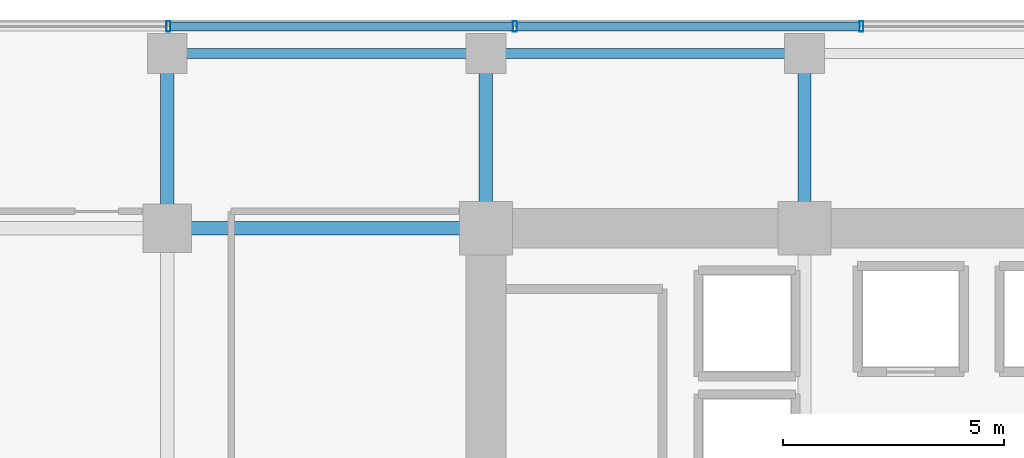
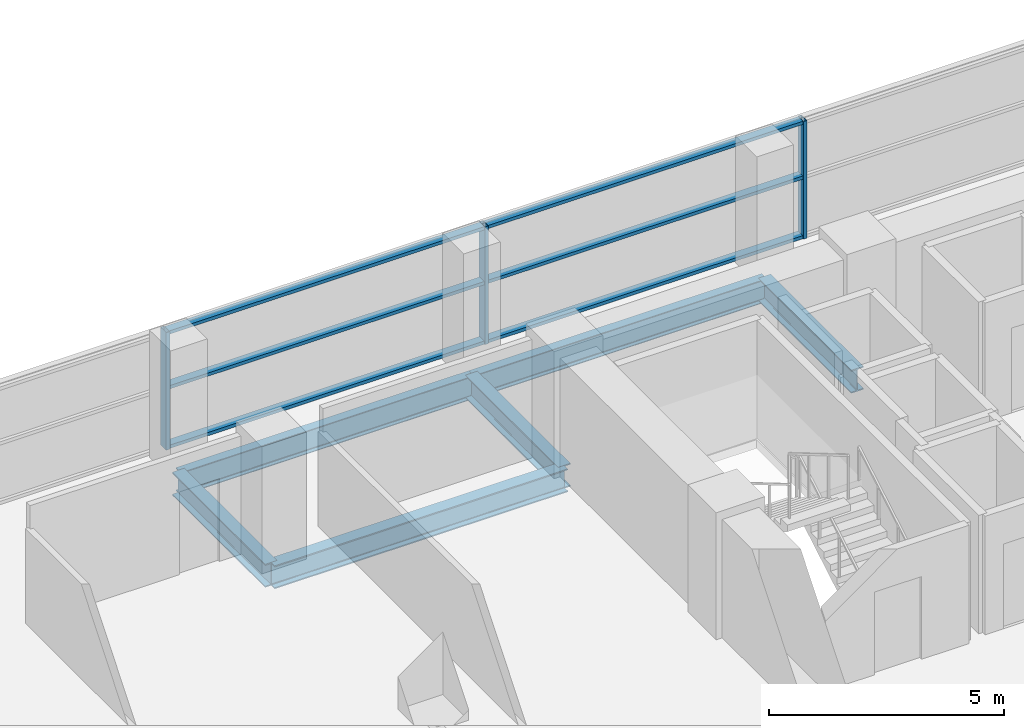
# One storey, part 17 of 29: 9 members, 6 beams, 1 element without a shape of its own.
"""IFC4 building model written with IfcOpenShell, lengths in metres."""

import ifcopenshell
import ifcopenshell.guid

model = None  # the IFC model being written
_history = None  # IfcOwnerHistory: only IFC2X3 demands one
_inside = {}  # id of a spatial element -> (the spatial element, [elements in it])
_under = {}  # id of a project, library or spatial element -> (it, [spatial elements below it])
_declared = {}  # id of a project -> (the project, [libraries it declares])
_typed = {}  # id of a type object -> (the type object, [elements of that type])
_made_of = {}  # id of a material, layer set ... -> (it, [elements and type objects made of it])


def new_model(schema):
    """Start an empty IFC model of exactly this schema.

    Asked for "IFC4X3", IfcOpenShell would pick the latest addendum, in which some entities
    have other attributes; the version numbers below select the first issue.
    IFC2X3 requires an IfcOwnerHistory on every rooted entity: one is made here for all.
    """
    global model, _history
    if schema == "IFC4X3":
        model = ifcopenshell.file(schema_version=(4, 3, 0, 0))
    else:
        model = ifcopenshell.file(schema=schema)
    _inside.clear()
    _under.clear()
    _declared.clear()
    _typed.clear()
    _made_of.clear()
    _history = None
    if model.schema == "IFC2X3":
        org = make("IfcOrganization", Name="unknown")
        user = make(
            "IfcPersonAndOrganization",
            ThePerson=make("IfcPerson", FamilyName="unknown"),
            TheOrganization=org,
        )
        app = make(
            "IfcApplication",
            ApplicationDeveloper=org,
            Version="unknown",
            ApplicationFullName="unknown",
            ApplicationIdentifier="unknown",
        )
        _history = make(
            "IfcOwnerHistory",
            OwningUser=user,
            OwningApplication=app,
            ChangeAction="ADDED",
            CreationDate=0,
        )
    return model


def make(cls, **values):
    """One entity of the class cls with the attributes given. An attribute that is None is left unset."""
    return model.create_entity(
        cls, **{name: value for name, value in values.items() if value is not None}
    )


def rooted(cls, **values):
    """An entity with a GlobalId (a new one), such as an element, a storey or a relation."""
    return make(cls, GlobalId=ifcopenshell.guid.new(), OwnerHistory=_history, **values)


def si_unit(unit_type, name, prefix=None):
    """IfcSIUnit, for example si_unit("LENGTHUNIT", "METRE", prefix="MILLI")."""
    return make("IfcSIUnit", UnitType=unit_type, Prefix=prefix, Name=name)


def assignment(units):
    """IfcUnitAssignment: the units of a project."""
    return None if units is None else make("IfcUnitAssignment", Units=units)


def point(xyz):
    """IfcCartesianPoint."""
    return None if xyz is None else make("IfcCartesianPoint", Coordinates=xyz)


def direction(xyz):
    """IfcDirection."""
    return None if xyz is None else make("IfcDirection", DirectionRatios=xyz)


def frame(location, z_axis=None, x_axis=None):
    """IfcAxis2Placement3D, a coordinate frame: its origin and axes. An axis left out is left unset."""
    return make(
        "IfcAxis2Placement3D",
        Location=point(location),
        Axis=direction(z_axis),
        RefDirection=direction(x_axis),
    )


def frame_2d(location, x_axis=None):
    """IfcAxis2Placement2D, a coordinate frame in the plane: its origin and x axis."""
    return make(
        "IfcAxis2Placement2D", Location=point(location), RefDirection=direction(x_axis)
    )


def origin():
    """The frame at (0, 0, 0) with its axes left unset."""
    return frame((0.0, 0.0, 0.0))


def origin_2d():
    """The frame at (0, 0) in the plane with its x axis left unset."""
    return frame_2d((0.0, 0.0))


def place(relative_to, where):
    """IfcLocalPlacement: puts the frame where relative to a parent placement (None: the world)."""
    return make(
        "IfcLocalPlacement", PlacementRelTo=relative_to, RelativePlacement=where
    )


def context(
    kind, dimensions, precision=None, world=None, true_north=None, identifier=None
):
    """IfcGeometricRepresentationContext, for example the 3D "Model" context."""
    return make(
        "IfcGeometricRepresentationContext",
        ContextIdentifier=identifier,
        ContextType=kind,
        CoordinateSpaceDimension=dimensions,
        Precision=precision,
        WorldCoordinateSystem=world,
        TrueNorth=true_north,
    )


def subcontext(parent, identifier, kind, view, scale=None):
    """IfcGeometricRepresentationSubContext, for example "Body" below "Model"."""
    return make(
        "IfcGeometricRepresentationSubContext",
        ContextIdentifier=identifier,
        ContextType=kind,
        ParentContext=parent,
        TargetScale=scale,
        TargetView=view,
    )


def project(units=None, contexts=None):
    """IfcProject with its units and contexts."""
    return rooted(
        "IfcProject",
        Name="project",
        RepresentationContexts=contexts,
        UnitsInContext=assignment(units),
    )


def spatial(cls, under=None, at=None, **own):
    """A site, building, storey or space (cls), placed at a placement, below another one or the project."""
    s = rooted(cls, ObjectPlacement=at, **own)
    if under is not None:
        _under.setdefault(under.id(), (under, []))[1].append(s)
    return s


def profile(cls, at=None, kind="AREA", **sizes):
    """A parametric profile (cls). Its sizes go by their IFC names, for example OverallWidth=200.0."""
    return make(cls, ProfileType=kind, Position=at, **sizes)


def hollow_rectangle(**sizes):
    """IfcRectangleHollowProfileDef."""
    return profile("IfcRectangleHollowProfileDef", **sizes)


def i_section(**sizes):
    """IfcIShapeProfileDef."""
    return profile("IfcIShapeProfileDef", **sizes)


def extrude(swept, where, along, depth):
    """IfcExtrudedAreaSolid: the profile swept, set in the frame where, extruded along a direction by depth."""
    return make(
        "IfcExtrudedAreaSolid",
        SweptArea=swept,
        Position=where,
        ExtrudedDirection=direction(along),
        Depth=depth,
    )


def shape(context_of_items, identifier, shape_type, items):
    """IfcShapeRepresentation: the items that make up one representation, for example the "Body"."""
    return make(
        "IfcShapeRepresentation",
        ContextOfItems=context_of_items,
        RepresentationIdentifier=identifier,
        RepresentationType=shape_type,
        Items=items,
    )


def source(mapping_origin, context_of_items, identifier, shape_type, items):
    """IfcRepresentationMap: a shape defined once, which mapped items show again and again."""
    return make(
        "IfcRepresentationMap",
        MappingOrigin=mapping_origin,
        MappedRepresentation=shape(context_of_items, identifier, shape_type, items),
    )


def transform(
    local_origin,
    x_axis=None,
    y_axis=None,
    z_axis=None,
    scale=None,
    scale2=None,
    scale3=None,
    uniform=True,
):
    """IfcCartesianTransformationOperator3D, or its non-uniform kind. x_axis, y_axis, z_axis: its Axis1, 2, 3."""
    if uniform:
        return make(
            "IfcCartesianTransformationOperator3D",
            Axis1=direction(x_axis),
            Axis2=direction(y_axis),
            LocalOrigin=point(local_origin),
            Scale=scale,
            Axis3=direction(z_axis),
        )
    return make(
        "IfcCartesianTransformationOperator3DnonUniform",
        Axis1=direction(x_axis),
        Axis2=direction(y_axis),
        LocalOrigin=point(local_origin),
        Scale=scale,
        Axis3=direction(z_axis),
        Scale2=scale2,
        Scale3=scale3,
    )


def mapped(mapping_source, mapping_target):
    """IfcMappedItem: shows the shape of a source again, moved by a transform."""
    return make(
        "IfcMappedItem", MappingSource=mapping_source, MappingTarget=mapping_target
    )


def material(Name=None, Category=None):
    """IfcMaterial."""
    return make("IfcMaterial", Name=Name, Category=Category)


def layer(
    of_material, thickness, ventilated=None, Name=None, Category=None, Priority=None
):
    """IfcMaterialLayer: one layer of a wall or slab, of a material (None: an air gap)."""
    return make(
        "IfcMaterialLayer",
        Material=of_material,
        LayerThickness=thickness,
        IsVentilated=ventilated,
        Name=Name,
        Category=Category,
        Priority=Priority,
    )


def layer_set(layers, Name=None):
    """IfcMaterialLayerSet."""
    return make("IfcMaterialLayerSet", MaterialLayers=layers, LayerSetName=Name)


def material_profile(
    of_material, cross_section, Name=None, Category=None, Priority=None
):
    """IfcMaterialProfile: a cross section and its material."""
    return make(
        "IfcMaterialProfile",
        Name=Name,
        Material=of_material,
        Profile=cross_section,
        Priority=Priority,
        Category=Category,
    )


def profile_set(profiles, Name=None, composite=None):
    """IfcMaterialProfileSet."""
    return make(
        "IfcMaterialProfileSet",
        Name=Name,
        MaterialProfiles=profiles,
        CompositeProfile=composite,
    )


def made_of(thing, what):
    """Note that an element or type object is made of a material, layer set ...; save() writes the relation."""
    if what is not None:
        _made_of.setdefault(what.id(), (what, []))[1].append(thing)
    return thing


def type_object(cls, material=None, **own):
    """A type object (cls), such as IfcWallType, which elements share."""
    return made_of(rooted(cls, **own), material)


def element(
    cls,
    number,
    at=None,
    inside=None,
    cuts=None,
    type_object=None,
    material=None,
    context=None,
    identifier="Body",
    shape_type=None,
    held_by="IfcProductDefinitionShape",
    body=None,
    shapes=None,
    **own,
):
    """One element of the class cls, such as IfcWall. Its Tag is "e" and its number.

    at: its placement. inside: the storey or other place that contains it. cuts: it is an
    opening in that element (IfcRelVoidsElement). A single representation is given by context,
    identifier, shape_type and body (its items); several are given by shapes. held_by: the class
    of the entity that holds the representations. save() writes the other relations.
    """
    e = rooted(cls, Tag="e%d" % number, ObjectPlacement=at, **own)
    if body is not None:
        shapes = [shape(context, identifier, shape_type, body)]
    if shapes is not None:
        e.Representation = make(held_by, Representations=shapes)
    if inside is not None:
        _inside.setdefault(inside.id(), (inside, []))[1].append(e)
    if cuts is not None:
        rooted(
            "IfcRelVoidsElement", RelatingBuildingElement=cuts, RelatedOpeningElement=e
        )
    if type_object is not None:
        _typed.setdefault(type_object.id(), (type_object, []))[1].append(e)
    return made_of(e, material)


def aggregate(whole, parts):
    """IfcRelAggregates: a whole, such as a stair, and the parts it consists of."""
    return rooted("IfcRelAggregates", RelatingObject=whole, RelatedObjects=parts)


def save(model, path):
    """Write the relations noted so far, then the file.

    IfcRelAggregates (storeys below a building ...), IfcRelContainedInSpatialStructure (elements
    in a storey), IfcRelDefinesByType, IfcRelAssociatesMaterial and IfcRelDeclares: one each for
    every whole, place, type object, material and project.
    """
    for whole, parts in _under.values():
        aggregate(whole, parts)
    for where, things in _inside.values():
        rooted(
            "IfcRelContainedInSpatialStructure",
            RelatedElements=things,
            RelatingStructure=where,
        )
    for kind, things in _typed.values():
        rooted("IfcRelDefinesByType", RelatedObjects=things, RelatingType=kind)
    for what, things in _made_of.values():
        rooted("IfcRelAssociatesMaterial", RelatedObjects=things, RelatingMaterial=what)
    for by, libraries in _declared.values():
        rooted("IfcRelDeclares", RelatingContext=by, RelatedDefinitions=libraries)
    model.write(path)


model = new_model("IFC4")

# Units and contexts
model_context = context("Model", 3, precision=1e-05, world=origin(), true_north=direction((0.0, 1.0)))
body_context = subcontext(model_context, "Body", "Model", "MODEL_VIEW")
ifc_project = project(units=[si_unit("LENGTHUNIT", "METRE"), si_unit("AREAUNIT", "SQUARE_METRE"), si_unit("VOLUMEUNIT", "CUBIC_METRE"), si_unit("PLANEANGLEUNIT", "RADIAN"), si_unit("MASSUNIT", "GRAM", prefix="KILO")], contexts=[model_context])

# Site, building, storey
site_placement = place(None, origin())
site = spatial("IfcSite", under=ifc_project, at=site_placement, CompositionType="ELEMENT")
building_placement = place(site_placement, origin())
building = spatial("IfcBuilding", under=site, at=building_placement, Name="Zarnakvel Exchange Tower", CompositionType="ELEMENT")
storey_placement = place(building_placement, frame((0.0, 0.0, 37.300048828125)))
storey = spatial("IfcBuildingStorey", under=building, at=storey_placement, Name="L09", CompositionType="ELEMENT", Elevation=37.300048828125)

# Beams
ifc_material_1 = material(Name="Steel S355", Category="steel")
ifc_material_profile_1 = material_profile(ifc_material_1, i_section(OverallWidth=0.300048828125, OverallDepth=0.60009765625, WebThickness=0.015380859375, FlangeThickness=0.030029296875, FilletRadius=0.027099609375, at=origin_2d()))
ifc_profile_set_1 = profile_set([ifc_material_profile_1], Name="Steel S355")
beam_type_1 = type_object("IfcBeamType", Name="G-04", PredefinedType="BEAM", material=ifc_profile_set_1)
beam_1_placement = place(storey_placement, frame((-21.60009765625, 13.5, -0.525146484375), z_axis=(1.0, 0.0, 0.0), x_axis=(0.0, 1.0, 0.0)))
element("IfcBeam", 1, at=beam_1_placement, inside=storey, type_object=beam_type_1, Name="L09 Tower E-W Frame Beam", PredefinedType="BEAM", context=body_context, shape_type="SweptSolid", body=[
    extrude(i_section(OverallWidth=0.300048828125, OverallDepth=0.60009765625, WebThickness=0.015380859375, FlangeThickness=0.030029296875, FilletRadius=0.027099609375, at=origin_2d()), origin(), (0.0, 0.0, 1.0), 7.2001953125),
])
for number, where, z_axis, x_axis, name in (
    (2, (-21.60009765625, 13.5, -0.525146484375), (0.0, 1.0, 0.0), (-1.0, 0.0, 0.0), "L09 Tower N-S Frame Beam"),
    (3, (-14.39990234375, 13.5, -0.525146484375), (0.0, 1.0, 0.0), (-1.0, 0.0, 0.0), "L09 Tower N-S Frame Beam"),
    (4, (-7.199951171875, 13.5, -0.525146484375), (0.0, 1.0, 0.0), (-1.0, 0.0, 0.0), "L09 Tower N-S Frame Beam"),
):
    element("IfcBeam", number, at=place(storey_placement, frame(where, z_axis=z_axis, x_axis=x_axis)), inside=storey, type_object=beam_type_1, Name=name, PredefinedType="BEAM", context=body_context, shape_type="SweptSolid", body=[
        extrude(i_section(OverallWidth=0.300048828125, OverallDepth=0.60009765625, WebThickness=0.015380859375, FlangeThickness=0.030029296875, FilletRadius=0.027099609375, at=origin_2d()), origin(), (0.0, 0.0, 1.0), 3.949951171875),
    ])
ifc_material_profile_2 = material_profile(ifc_material_1, i_section(OverallWidth=0.219970703125, OverallDepth=0.60009765625, WebThickness=0.011962890625, FlangeThickness=0.01904296875, FilletRadius=0.02392578125, at=origin_2d()))
ifc_profile_set_2 = profile_set([ifc_material_profile_2], Name="Steel S355")
beam_type_2 = type_object("IfcBeamType", Name="SP-01", PredefinedType="SPANDREL", material=ifc_profile_set_2)
beam_2_placement = place(storey_placement, frame((-21.60009765625, 17.449951171875, -0.525146484375), z_axis=(1.0, 0.0, 0.0), x_axis=(0.0, 1.0, 0.0)))
element("IfcBeam", 5, at=beam_2_placement, inside=storey, type_object=beam_type_2, Name="L09 Tower E-W Frame Beam", PredefinedType="SPANDREL", context=body_context, shape_type="SweptSolid", body=[
    extrude(i_section(OverallWidth=0.219970703125, OverallDepth=0.60009765625, WebThickness=0.011962890625, FlangeThickness=0.01904296875, FilletRadius=0.02392578125, at=origin_2d()), origin(), (0.0, 0.0, 1.0), 7.2001953125),
])
beam_3_placement = place(storey_placement, frame((-14.39990234375, 17.449951171875, -0.525146484375), z_axis=(1.0, 0.0, 0.0), x_axis=(0.0, 1.0, 0.0)))
element("IfcBeam", 6, at=beam_3_placement, inside=storey, type_object=beam_type_2, Name="L09 Tower E-W Frame Beam", PredefinedType="SPANDREL", context=body_context, shape_type="SweptSolid", body=[
    extrude(i_section(OverallWidth=0.219970703125, OverallDepth=0.60009765625, WebThickness=0.011962890625, FlangeThickness=0.01904296875, FilletRadius=0.02392578125, at=origin_2d()), origin(), (0.0, 0.0, 1.0), 7.199951171875),
])

# Curtain wall, members
ifc_material_2 = material(Name="Architectural Bronze Anodised Aluminium", Category="aluminium")
ifc_layer = layer(ifc_material_2, 0.239990234375)
ifc_layer_set = layer_set([ifc_layer], Name="Architectural Bronze Anodised Aluminium")
curtain_wall_type = type_object("IfcCurtainWallType", Name="CW-02", PredefinedType="NOTDEFINED", material=ifc_layer_set)
curtain_wall_placement = place(storey_placement, origin())
curtain_wall = element("IfcCurtainWall", 7, at=curtain_wall_placement, inside=storey, type_object=curtain_wall_type, Name="L09 Curtain Wall CW-L09-N1 (CW-02)", PredefinedType="NOTDEFINED")
ifc_material_profile_3 = material_profile(ifc_material_2, hollow_rectangle(XDim=0.199951171875, YDim=0.0849609375, WallThickness=0.0048828125, at=origin_2d()))
ifc_profile_set_3 = profile_set([ifc_material_profile_3], Name="Architectural Bronze Anodised Aluminium")
member_type_1 = type_object("IfcMemberType", Name="CWT-02", PredefinedType="USERDEFINED", material=ifc_profile_set_3)
shared_shape_1 = source(origin(), body_context, "Body", "SweptSolid", [
    extrude(hollow_rectangle(XDim=0.199951171875, YDim=0.0849609375, WallThickness=0.0048828125, at=origin_2d()), origin(), (0.0, 0.0, 1.0), 7.738525390625),
])
member_1_placement = place(storey_placement, frame((-21.5263671875, 18.06005859375, 0.04248046875), z_axis=(1.0, 0.0, 0.0), x_axis=(0.0, 1.0, 0.0)))
member_1 = element("IfcMember", 8, at=member_1_placement, type_object=member_type_1, Name="CW-02 transom 2.1", ObjectType="TRANSOM", PredefinedType="USERDEFINED", context=body_context, shape_type="MappedRepresentation", body=[
    mapped(shared_shape_1, transform((0.0, 0.0, 0.0), x_axis=(1.0, 0.0, 0.0), y_axis=(0.0, 1.0, 0.0), z_axis=(0.0, 0.0, 1.0), scale=1.0)),
])
member_2_placement = place(storey_placement, frame((-21.5263671875, 18.06005859375, 1.588623046875), z_axis=(1.0, 0.0, 0.0), x_axis=(0.0, 1.0, 0.0)))
member_2 = element("IfcMember", 9, at=member_2_placement, type_object=member_type_1, Name="CW-02 transom 2.2", ObjectType="TRANSOM", PredefinedType="USERDEFINED", context=body_context, shape_type="MappedRepresentation", body=[
    mapped(shared_shape_1, transform((0.0, 0.0, 0.0), x_axis=(1.0, 0.0, 0.0), y_axis=(0.0, 1.0, 0.0), z_axis=(0.0, 0.0, 1.0), scale=1.0)),
])
member_3_placement = place(storey_placement, frame((-21.5263671875, 18.06005859375, 3.012451171875), z_axis=(1.0, 0.0, 0.0), x_axis=(0.0, 1.0, 0.0)))
member_3 = element("IfcMember", 10, at=member_3_placement, type_object=member_type_1, Name="CW-02 transom 2.3", ObjectType="TRANSOM", PredefinedType="USERDEFINED", context=body_context, shape_type="MappedRepresentation", body=[
    mapped(shared_shape_1, transform((0.0, 0.0, 0.0), x_axis=(1.0, 0.0, 0.0), y_axis=(0.0, 1.0, 0.0), z_axis=(0.0, 0.0, 1.0), scale=1.0)),
])
member_4_placement = place(storey_placement, frame((-13.69775390625, 18.06005859375, 0.04248046875), z_axis=(1.0, 0.0, 0.0), x_axis=(0.0, 1.0, 0.0)))
member_4 = element("IfcMember", 11, at=member_4_placement, type_object=member_type_1, Name="CW-02 transom 3.1", ObjectType="TRANSOM", PredefinedType="USERDEFINED", context=body_context, shape_type="MappedRepresentation", body=[
    mapped(shared_shape_1, transform((0.0, 0.0, 0.0), x_axis=(1.0, 0.0, 0.0), y_axis=(0.0, 1.0, 0.0), z_axis=(0.0, 0.0, 1.0), scale=1.0)),
])
member_5_placement = place(storey_placement, frame((-13.69775390625, 18.06005859375, 1.588623046875), z_axis=(1.0, 0.0, 0.0), x_axis=(0.0, 1.0, 0.0)))
member_5 = element("IfcMember", 12, at=member_5_placement, type_object=member_type_1, Name="CW-02 transom 3.2", ObjectType="TRANSOM", PredefinedType="USERDEFINED", context=body_context, shape_type="MappedRepresentation", body=[
    mapped(shared_shape_1, transform((0.0, 0.0, 0.0), x_axis=(1.0, 0.0, 0.0), y_axis=(0.0, 1.0, 0.0), z_axis=(0.0, 0.0, 1.0), scale=1.0)),
])
member_6_placement = place(storey_placement, frame((-13.69775390625, 18.06005859375, 3.012451171875), z_axis=(1.0, 0.0, 0.0), x_axis=(0.0, 1.0, 0.0)))
member_6 = element("IfcMember", 13, at=member_6_placement, type_object=member_type_1, Name="CW-02 transom 3.3", ObjectType="TRANSOM", PredefinedType="USERDEFINED", context=body_context, shape_type="MappedRepresentation", body=[
    mapped(shared_shape_1, transform((0.0, 0.0, 0.0), x_axis=(1.0, 0.0, 0.0), y_axis=(0.0, 1.0, 0.0), z_axis=(0.0, 0.0, 1.0), scale=1.0)),
])
ifc_material_profile_4 = material_profile(ifc_material_2, hollow_rectangle(XDim=0.239990234375, YDim=0.090087890625, WallThickness=0.006103515625, at=origin_2d()))
ifc_profile_set_4 = profile_set([ifc_material_profile_4], Name="Architectural Bronze Anodised Aluminium")
member_type_2 = type_object("IfcMemberType", Name="CWM-02", PredefinedType="MULLION", material=ifc_profile_set_4)
shared_shape_2 = source(origin(), body_context, "Body", "SweptSolid", [
    extrude(hollow_rectangle(XDim=0.239990234375, YDim=0.090087890625, WallThickness=0.006103515625, at=origin_2d()), origin(), (0.0, 0.0, 1.0), 3.054931640625),
])
member_7_placement = place(storey_placement, frame((-21.571533203125, 18.06005859375, 0.0), z_axis=(0.0, 0.0, 1.0), x_axis=(0.0, 1.0, 0.0)))
member_7 = element("IfcMember", 14, at=member_7_placement, type_object=member_type_2, Name="CW-02 mullion 2", PredefinedType="MULLION", context=body_context, shape_type="MappedRepresentation", body=[
    mapped(shared_shape_2, transform((0.0, 0.0, 0.0), x_axis=(1.0, 0.0, 0.0), y_axis=(0.0, 1.0, 0.0), z_axis=(0.0, 0.0, 1.0), scale=1.0)),
])
member_8_placement = place(storey_placement, frame((-13.742919921875, 18.06005859375, 0.0), z_axis=(0.0, 0.0, 1.0), x_axis=(0.0, 1.0, 0.0)))
member_8 = element("IfcMember", 15, at=member_8_placement, type_object=member_type_2, Name="CW-02 mullion 3", PredefinedType="MULLION", context=body_context, shape_type="MappedRepresentation", body=[
    mapped(shared_shape_2, transform((0.0, 0.0, 0.0), x_axis=(1.0, 0.0, 0.0), y_axis=(0.0, 1.0, 0.0), z_axis=(0.0, 0.0, 1.0), scale=1.0)),
])
member_9_placement = place(storey_placement, frame((-5.914306640625, 18.06005859375, 0.0), z_axis=(0.0, 0.0, 1.0), x_axis=(0.0, 1.0, 0.0)))
member_9 = element("IfcMember", 16, at=member_9_placement, type_object=member_type_2, Name="CW-02 mullion 4", PredefinedType="MULLION", context=body_context, shape_type="MappedRepresentation", body=[
    mapped(shared_shape_2, transform((0.0, 0.0, 0.0), x_axis=(1.0, 0.0, 0.0), y_axis=(0.0, 1.0, 0.0), z_axis=(0.0, 0.0, 1.0), scale=1.0)),
])
aggregate(curtain_wall, [member_7, member_8, member_9, member_1, member_2, member_3, member_4, member_5, member_6])

save(model, "model.ifc")
